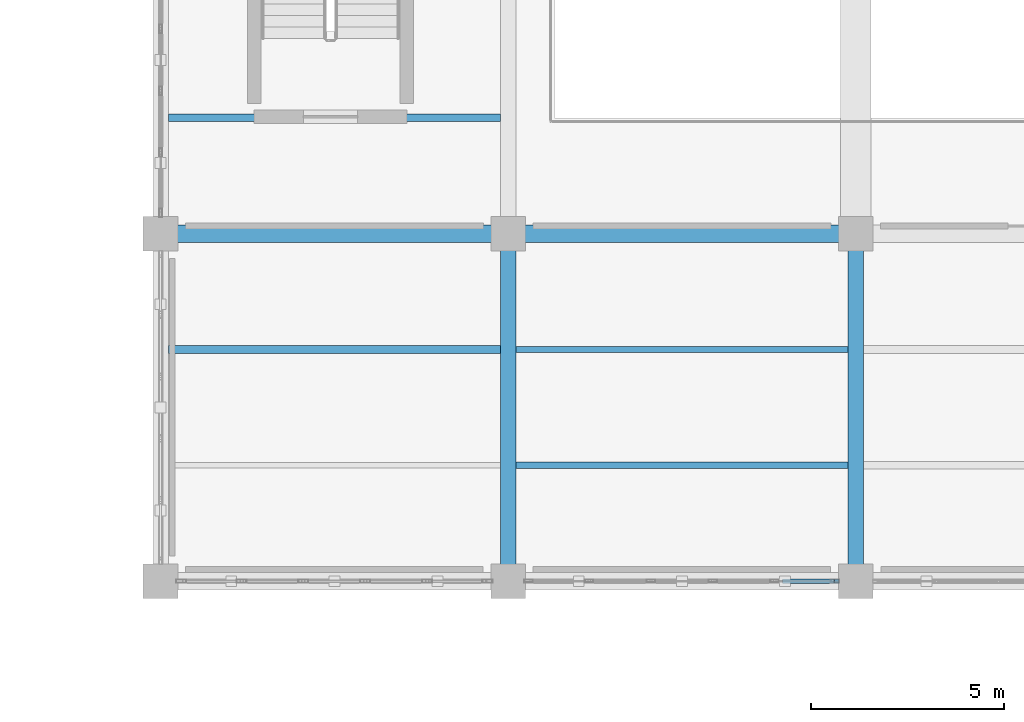
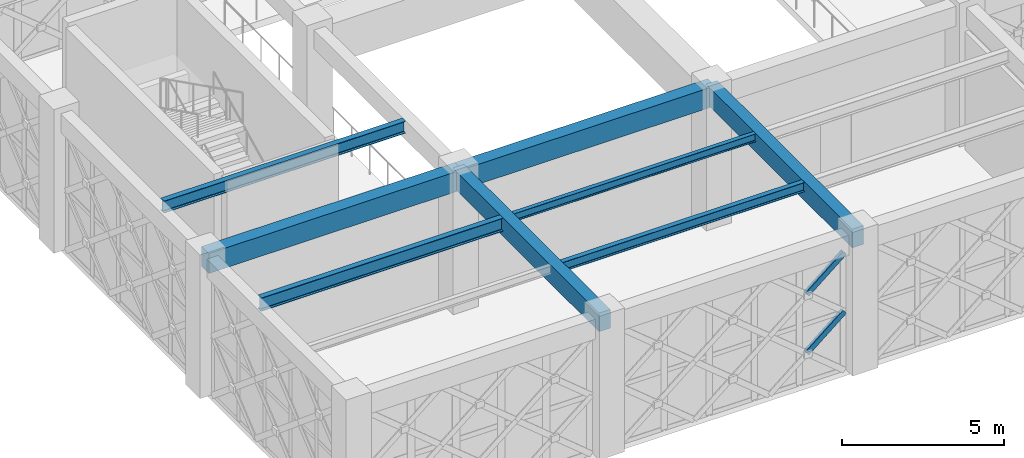
# One storey, part 51 of 155: 8 beams, 2 members.
"""IFC4 building model written with IfcOpenShell, lengths in metres."""

from ifc_helpers import new_model, si_unit, direction, frame, origin, origin_2d, place, context, subcontext, project, spatial, rectangle, hollow_rectangle, i_section, extrude, material, material_profile, profile_set, type_object, element, save


model = new_model("IFC4")

# Units and contexts
model_context = context("Model", 3, precision=1e-05, world=origin(), true_north=direction((0.0, 1.0)))
body_context = subcontext(model_context, "Body", "Model", "MODEL_VIEW")
ifc_project = project(units=[si_unit("LENGTHUNIT", "METRE"), si_unit("AREAUNIT", "SQUARE_METRE"), si_unit("VOLUMEUNIT", "CUBIC_METRE"), si_unit("PLANEANGLEUNIT", "RADIAN"), si_unit("MASSUNIT", "GRAM", prefix="KILO")], contexts=[model_context])

# Site, building, storey
site_placement = place(None, origin())
site = spatial("IfcSite", under=ifc_project, at=site_placement, CompositionType="ELEMENT")
building_placement = place(site_placement, origin())
building = spatial("IfcBuilding", under=site, at=building_placement, Name="Haizhuo Lancet Aquarium", CompositionType="ELEMENT")
storey_placement = place(building_placement, frame((0.0, 0.0, 10.800048828125)))
storey = spatial("IfcBuildingStorey", under=building, at=storey_placement, Name="L02", CompositionType="ELEMENT", Elevation=10.800048828125)

# Beams
ifc_material_1 = material(Name="Concrete C40/50", Category="concrete")
ifc_material_profile_1 = material_profile(ifc_material_1, rectangle(XDim=0.39990234375, YDim=0.699951171875, at=origin_2d()), Name="RC-BM 400x700")
ifc_profile_set_1 = profile_set([ifc_material_profile_1], Name="Concrete C40/50")
beam_type_1 = type_object("IfcBeamType", Name="BM-RC-400x700", PredefinedType="BEAM", material=ifc_profile_set_1)
for number, where, z_axis, x_axis, name in (
    (1, (36.0, -36.0, 4.81005859375), (0.0, 1.0, 0.0), (-1.0, 0.0, 0.0), "L02 V3 primary girder BM-L02-V3-007"),
    (2, (45.0, -36.0, 4.81005859375), (0.0, 1.0, 0.0), (-1.0, 0.0, 0.0), "L02 V3 primary girder BM-L02-V3-013"),
):
    element("IfcBeam", number, at=place(storey_placement, frame(where, z_axis=z_axis, x_axis=x_axis)), inside=storey, type_object=beam_type_1, Name=name, PredefinedType="BEAM", context=body_context, shape_type="SweptSolid", body=[
        extrude(rectangle(XDim=0.39990234375, YDim=0.699951171875, at=origin_2d()), origin(), (0.0, 0.0, 1.0), 9.0),
    ])
ifc_material_profile_2 = material_profile(ifc_material_1, rectangle(XDim=0.449951171875, YDim=0.75, at=origin_2d()), Name="RC-BM 450x750")
ifc_profile_set_2 = profile_set([ifc_material_profile_2], Name="Concrete C40/50")
beam_type_2 = type_object("IfcBeamType", Name="BM-RC-450x750", PredefinedType="BEAM", material=ifc_profile_set_2)
for number, where, z_axis, x_axis, name in (
    (3, (27.0, -27.0, 4.784912109375), (1.0, 0.0, 0.0), (0.0, 1.0, 0.0), "L02 V3 primary girder BM-L02-V3-004"),
    (4, (36.0, -27.0, 4.784912109375), (1.0, 0.0, 0.0), (0.0, 1.0, 0.0), "L02 V3 primary girder BM-L02-V3-010"),
):
    element("IfcBeam", number, at=place(storey_placement, frame(where, z_axis=z_axis, x_axis=x_axis)), inside=storey, type_object=beam_type_2, Name=name, PredefinedType="BEAM", context=body_context, shape_type="SweptSolid", body=[
        extrude(rectangle(XDim=0.449951171875, YDim=0.75, at=origin_2d()), origin(), (0.0, 0.0, 1.0), 9.0),
    ])
ifc_material_2 = material(Name="Steel S355", Category="steel")
ifc_material_profile_3 = material_profile(ifc_material_2, i_section(OverallWidth=0.14990234375, OverallDepth=0.300048828125, WebThickness=0.006591796875, FlangeThickness=0.009033203125, FilletRadius=0.012939453125, at=origin_2d()), Name="HN 300x150x6.5x9")
ifc_profile_set_3 = profile_set([ifc_material_profile_3], Name="Steel S355")
beam_type_3 = type_object("IfcBeamType", Name="JST-ST-HN300", PredefinedType="JOIST", material=ifc_profile_set_3)
beam_1_placement = place(storey_placement, frame((36.199951171875, -30.0, 5.010009765625), z_axis=(1.0, 0.0, 0.0), x_axis=(0.0, 1.0, 0.0)))
element("IfcBeam", 5, at=beam_1_placement, inside=storey, type_object=beam_type_3, Name="L02 V3 secondary floor joist 6", PredefinedType="JOIST", context=body_context, shape_type="SweptSolid", body=[
    extrude(i_section(OverallWidth=0.14990234375, OverallDepth=0.300048828125, WebThickness=0.006591796875, FlangeThickness=0.009033203125, FilletRadius=0.012939453125, at=origin_2d()), origin(), (0.0, 0.0, 1.0), 8.60009765625),
])
ifc_material_profile_4 = material_profile(ifc_material_2, i_section(OverallWidth=0.175048828125, OverallDepth=0.35009765625, WebThickness=0.007080078125, FlangeThickness=0.010986328125, FilletRadius=0.013916015625, at=origin_2d()), Name="HN 350x175x7x11")
ifc_profile_set_4 = profile_set([ifc_material_profile_4], Name="Steel S355")
beam_type_4 = type_object("IfcBeamType", Name="JST-ST-HN350", PredefinedType="JOIST", material=ifc_profile_set_4)
beam_2_placement = place(storey_placement, frame((36.199951171875, -33.0, 4.98486328125), z_axis=(1.0, 0.0, 0.0), x_axis=(0.0, 1.0, 0.0)))
element("IfcBeam", 6, at=beam_2_placement, inside=storey, type_object=beam_type_4, Name="L02 V3 secondary floor joist 5", PredefinedType="JOIST", context=body_context, shape_type="SweptSolid", body=[
    extrude(i_section(OverallWidth=0.175048828125, OverallDepth=0.35009765625, WebThickness=0.007080078125, FlangeThickness=0.010986328125, FilletRadius=0.013916015625, at=origin_2d()), origin(), (0.0, 0.0, 1.0), 8.60009765625),
])
ifc_material_profile_5 = material_profile(ifc_material_2, i_section(OverallWidth=0.199951171875, OverallDepth=0.449951171875, WebThickness=0.009033203125, FlangeThickness=0.013916015625, FilletRadius=0.01806640625, at=origin_2d()), Name="HN 450x200x9x14")
ifc_profile_set_5 = profile_set([ifc_material_profile_5], Name="Steel S355")
beam_type_5 = type_object("IfcBeamType", Name="JST-ST-HN450", PredefinedType="JOIST", material=ifc_profile_set_5)
beam_3_placement = place(storey_placement, frame((27.199951171875, -24.0, 4.93505859375), z_axis=(1.0, 0.0, 0.0), x_axis=(0.0, 1.0, 0.0)))
element("IfcBeam", 7, at=beam_3_placement, inside=storey, type_object=beam_type_5, Name="L02 V3 secondary floor joist 3", PredefinedType="JOIST", context=body_context, shape_type="SweptSolid", body=[
    extrude(i_section(OverallWidth=0.199951171875, OverallDepth=0.449951171875, WebThickness=0.009033203125, FlangeThickness=0.013916015625, FilletRadius=0.01806640625, at=origin_2d()), origin(), (0.0, 0.0, 1.0), 8.60009765625),
])
ifc_material_profile_6 = material_profile(ifc_material_2, i_section(OverallWidth=0.199951171875, OverallDepth=0.5, WebThickness=0.010009765625, FlangeThickness=0.01611328125, FilletRadius=0.02001953125, at=origin_2d()), Name="HN 500x200x10x16")
ifc_profile_set_6 = profile_set([ifc_material_profile_6], Name="Steel S355")
beam_type_6 = type_object("IfcBeamType", Name="JST-ST-HN500", PredefinedType="JOIST", material=ifc_profile_set_6)
beam_4_placement = place(storey_placement, frame((27.199951171875, -30.0, 4.909912109375), z_axis=(1.0, 0.0, 0.0), x_axis=(0.0, 1.0, 0.0)))
element("IfcBeam", 8, at=beam_4_placement, inside=storey, type_object=beam_type_6, Name="L02 V3 secondary floor joist 2", PredefinedType="JOIST", context=body_context, shape_type="SweptSolid", body=[
    extrude(i_section(OverallWidth=0.199951171875, OverallDepth=0.5, WebThickness=0.010009765625, FlangeThickness=0.01611328125, FilletRadius=0.02001953125, at=origin_2d()), origin(), (0.0, 0.0, 1.0), 8.60009765625),
])

# Members
ifc_material_profile_7 = material_profile(ifc_material_2, hollow_rectangle(XDim=0.1201171875, YDim=0.199951171875, WallThickness=0.008056640625, at=origin_2d()), Name="RHS 120x200x8")
ifc_profile_set_7 = profile_set([ifc_material_profile_7], Name="Steel S355")
member_type = type_object("IfcMemberType", Name="MEM-LB-RHS120x200", PredefinedType="BRACE", material=ifc_profile_set_7)
member_1_placement = place(storey_placement, frame((43.169921875, -36.0, 1.10205078125), z_axis=(0.77096476164, 0.0, 0.636877803279), x_axis=(0.0, 1.0, 0.0)))
element("IfcMember", 9, at=member_1_placement, inside=storey, type_object=member_type, Name="Gothic lancet split diagonal brace CW-V3-L02-062 1B2", PredefinedType="BRACE", context=body_context, shape_type="SweptSolid", body=[
    extrude(hollow_rectangle(XDim=0.1201171875, YDim=0.199951171875, WallThickness=0.008056640625, at=origin_2d()), origin(), (0.0, 0.0, 1.0), 1.7314453125),
])
member_2_placement = place(storey_placement, frame((43.169921875, -36.0, 3.307861328125), z_axis=(0.771172467693, 0.0, 0.63662628368), x_axis=(0.0, 1.0, 0.0)))
element("IfcMember", 10, at=member_2_placement, inside=storey, type_object=member_type, Name="Gothic lancet split diagonal brace CW-V3-L02-062 2B2", PredefinedType="BRACE", context=body_context, shape_type="SweptSolid", body=[
    extrude(hollow_rectangle(XDim=0.1201171875, YDim=0.199951171875, WallThickness=0.008056640625, at=origin_2d()), origin(), (0.0, 0.0, 1.0), 1.731201171875),
])

save(model, "model.ifc")
